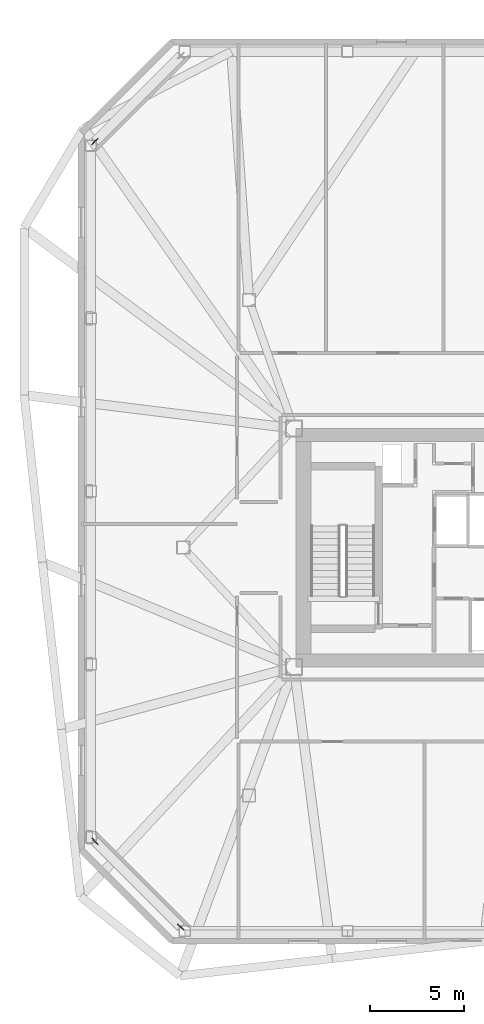
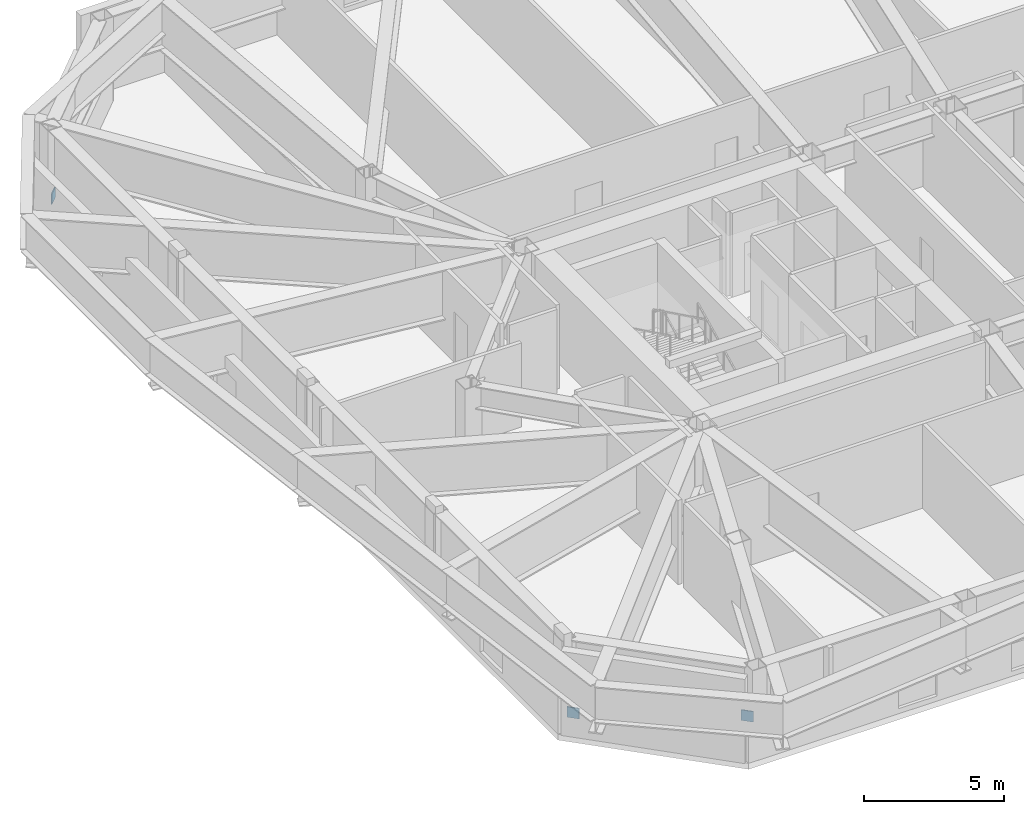
# One storey, part 16 of 19: 3 discrete accessories.
"""IFC4 building model written with IfcOpenShell, lengths in metres."""

from ifc_helpers import new_model, si_unit, direction, frame, origin, origin_2d, place, context, subcontext, project, spatial, rectangle, extrude, material, type_object, element, save


model = new_model("IFC4")

# Units and contexts
model_context = context("Model", 3, precision=1e-05, world=origin(), true_north=direction((0.0, 1.0)))
body_context = subcontext(model_context, "Body", "Model", "MODEL_VIEW")
ifc_project = project(units=[si_unit("LENGTHUNIT", "METRE"), si_unit("AREAUNIT", "SQUARE_METRE"), si_unit("VOLUMEUNIT", "CUBIC_METRE"), si_unit("PLANEANGLEUNIT", "RADIAN"), si_unit("MASSUNIT", "GRAM", prefix="KILO")], contexts=[model_context])

# Site, building, storey
site_placement = place(None, origin())
site = spatial("IfcSite", under=ifc_project, at=site_placement, CompositionType="ELEMENT")
building_placement = place(site_placement, origin())
building = spatial("IfcBuilding", under=site, at=building_placement, Name="Tavrogorsk Clinical Tower", CompositionType="ELEMENT")
storey_placement = place(building_placement, frame((0.0, 0.0, 204.199951171875)))
storey = spatial("IfcBuildingStorey", under=building, at=storey_placement, Name="L47", CompositionType="ELEMENT", Elevation=204.199951171875)

# Discrete accessories
ifc_material = material(Name="Structural steel S440", Category="steel")
discrete_accessory_type = type_object("IfcDiscreteAccessoryType", Name="GussetPlateBracket_25", PredefinedType="BRACKET", material=ifc_material)
for number, where, z_axis, x_axis, name in (
    (1, (-32.704833984375, 21.635009765625, 0.11865234375), (0.0, 0.0, 1.0), (0.707106781187, 0.707106781187, 0.0), "L47 Brace Gusset Plate EXOCRN-L47-3-A"),
    (2, (-32.704833984375, -15.635009765625, 0.11865234375), (0.0, 0.0, 1.0), (0.707106781187, -0.707106781187, 0.0), "L47 Brace Gusset Plate EXOCRN-L47-4-A"),
    (3, (-28.135009765625, -20.204833984375, 1.1513671875), (0.0, 0.0, 1.0), (0.707106781187, -0.707106781187, 0.0), "L47 Brace Gusset Plate EXOCRN-L47-4-B"),
):
    element("IfcDiscreteAccessory", number, at=place(storey_placement, frame(where, z_axis=z_axis, x_axis=x_axis)), inside=storey, type_object=discrete_accessory_type, Name=name, PredefinedType="BRACKET", context=body_context, shape_type="SweptSolid", body=[
        extrude(rectangle(XDim=0.4599609375, YDim=0.0400390625, at=origin_2d()), origin(), (0.0, 0.0, 1.0), 0.4599609375),
    ])

save(model, "model.ifc")
